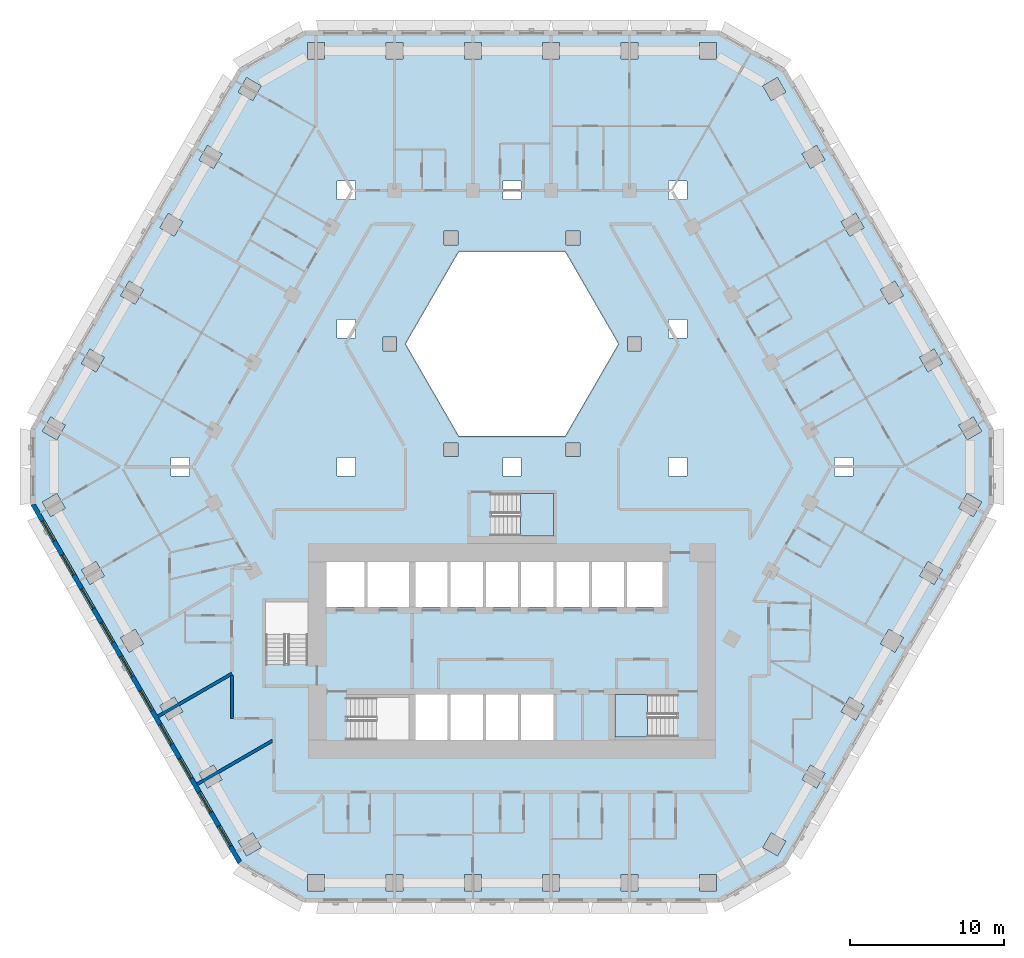
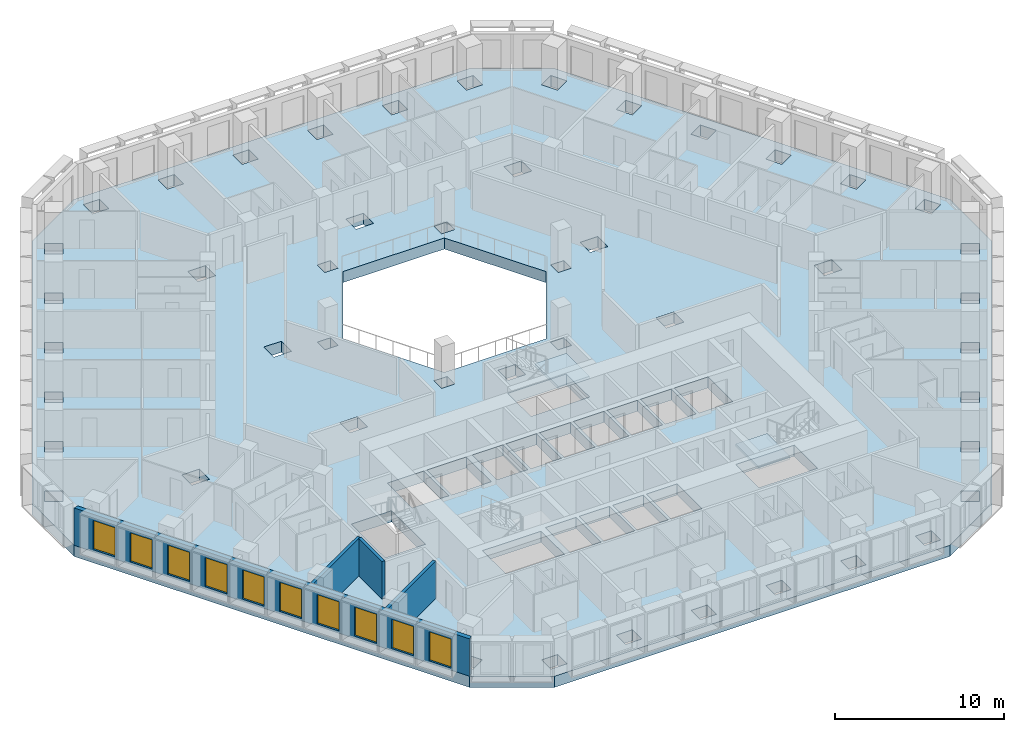
# One storey, part 2 of 21: 10 windows, 4 walls, 3 slabs, 10 openings, 2 elements without a shape of their own.
"""IFC4 building model written with IfcOpenShell, lengths in metres."""

import ifcopenshell
import ifcopenshell.guid

model = None  # the IFC model being written
_history = None  # IfcOwnerHistory: only IFC2X3 demands one
_inside = {}  # id of a spatial element -> (the spatial element, [elements in it])
_under = {}  # id of a project, library or spatial element -> (it, [spatial elements below it])
_declared = {}  # id of a project -> (the project, [libraries it declares])
_typed = {}  # id of a type object -> (the type object, [elements of that type])
_made_of = {}  # id of a material, layer set ... -> (it, [elements and type objects made of it])


def new_model(schema):
    """Start an empty IFC model of exactly this schema.

    Asked for "IFC4X3", IfcOpenShell would pick the latest addendum, in which some entities
    have other attributes; the version numbers below select the first issue.
    IFC2X3 requires an IfcOwnerHistory on every rooted entity: one is made here for all.
    """
    global model, _history
    if schema == "IFC4X3":
        model = ifcopenshell.file(schema_version=(4, 3, 0, 0))
    else:
        model = ifcopenshell.file(schema=schema)
    _inside.clear()
    _under.clear()
    _declared.clear()
    _typed.clear()
    _made_of.clear()
    _history = None
    if model.schema == "IFC2X3":
        org = make("IfcOrganization", Name="unknown")
        user = make(
            "IfcPersonAndOrganization",
            ThePerson=make("IfcPerson", FamilyName="unknown"),
            TheOrganization=org,
        )
        app = make(
            "IfcApplication",
            ApplicationDeveloper=org,
            Version="unknown",
            ApplicationFullName="unknown",
            ApplicationIdentifier="unknown",
        )
        _history = make(
            "IfcOwnerHistory",
            OwningUser=user,
            OwningApplication=app,
            ChangeAction="ADDED",
            CreationDate=0,
        )
    return model


def make(cls, **values):
    """One entity of the class cls with the attributes given. An attribute that is None is left unset."""
    return model.create_entity(
        cls, **{name: value for name, value in values.items() if value is not None}
    )


def rooted(cls, **values):
    """An entity with a GlobalId (a new one), such as an element, a storey or a relation."""
    return make(cls, GlobalId=ifcopenshell.guid.new(), OwnerHistory=_history, **values)


def si_unit(unit_type, name, prefix=None):
    """IfcSIUnit, for example si_unit("LENGTHUNIT", "METRE", prefix="MILLI")."""
    return make("IfcSIUnit", UnitType=unit_type, Prefix=prefix, Name=name)


def assignment(units):
    """IfcUnitAssignment: the units of a project."""
    return None if units is None else make("IfcUnitAssignment", Units=units)


def point(xyz):
    """IfcCartesianPoint."""
    return None if xyz is None else make("IfcCartesianPoint", Coordinates=xyz)


def direction(xyz):
    """IfcDirection."""
    return None if xyz is None else make("IfcDirection", DirectionRatios=xyz)


def frame(location, z_axis=None, x_axis=None):
    """IfcAxis2Placement3D, a coordinate frame: its origin and axes. An axis left out is left unset."""
    return make(
        "IfcAxis2Placement3D",
        Location=point(location),
        Axis=direction(z_axis),
        RefDirection=direction(x_axis),
    )


def frame_2d(location, x_axis=None):
    """IfcAxis2Placement2D, a coordinate frame in the plane: its origin and x axis."""
    return make(
        "IfcAxis2Placement2D", Location=point(location), RefDirection=direction(x_axis)
    )


def origin():
    """The frame at (0, 0, 0) with its axes left unset."""
    return frame((0.0, 0.0, 0.0))


def place(relative_to, where):
    """IfcLocalPlacement: puts the frame where relative to a parent placement (None: the world)."""
    return make(
        "IfcLocalPlacement", PlacementRelTo=relative_to, RelativePlacement=where
    )


def context(
    kind, dimensions, precision=None, world=None, true_north=None, identifier=None
):
    """IfcGeometricRepresentationContext, for example the 3D "Model" context."""
    return make(
        "IfcGeometricRepresentationContext",
        ContextIdentifier=identifier,
        ContextType=kind,
        CoordinateSpaceDimension=dimensions,
        Precision=precision,
        WorldCoordinateSystem=world,
        TrueNorth=true_north,
    )


def subcontext(parent, identifier, kind, view, scale=None):
    """IfcGeometricRepresentationSubContext, for example "Body" below "Model"."""
    return make(
        "IfcGeometricRepresentationSubContext",
        ContextIdentifier=identifier,
        ContextType=kind,
        ParentContext=parent,
        TargetScale=scale,
        TargetView=view,
    )


def project(units=None, contexts=None):
    """IfcProject with its units and contexts."""
    return rooted(
        "IfcProject",
        Name="project",
        RepresentationContexts=contexts,
        UnitsInContext=assignment(units),
    )


def spatial(cls, under=None, at=None, **own):
    """A site, building, storey or space (cls), placed at a placement, below another one or the project."""
    s = rooted(cls, ObjectPlacement=at, **own)
    if under is not None:
        _under.setdefault(under.id(), (under, []))[1].append(s)
    return s


def polyline(points):
    """IfcPolyline through the points."""
    return make("IfcPolyline", Points=[point(p) for p in points])


def profile(cls, at=None, kind="AREA", **sizes):
    """A parametric profile (cls). Its sizes go by their IFC names, for example OverallWidth=200.0."""
    return make(cls, ProfileType=kind, Position=at, **sizes)


def rectangle(**sizes):
    """IfcRectangleProfileDef."""
    return profile("IfcRectangleProfileDef", **sizes)


def outline(outer, holes=None, kind="AREA"):
    """IfcArbitraryClosedProfileDef: a profile drawn as a closed curve; with holes, ...WithVoids."""
    if holes is None:
        return make("IfcArbitraryClosedProfileDef", ProfileType=kind, OuterCurve=outer)
    return make(
        "IfcArbitraryProfileDefWithVoids",
        ProfileType=kind,
        OuterCurve=outer,
        InnerCurves=holes,
    )


def extrude(swept, where, along, depth):
    """IfcExtrudedAreaSolid: the profile swept, set in the frame where, extruded along a direction by depth."""
    return make(
        "IfcExtrudedAreaSolid",
        SweptArea=swept,
        Position=where,
        ExtrudedDirection=direction(along),
        Depth=depth,
    )


def shape(context_of_items, identifier, shape_type, items):
    """IfcShapeRepresentation: the items that make up one representation, for example the "Body"."""
    return make(
        "IfcShapeRepresentation",
        ContextOfItems=context_of_items,
        RepresentationIdentifier=identifier,
        RepresentationType=shape_type,
        Items=items,
    )


def material(Name=None, Category=None):
    """IfcMaterial."""
    return make("IfcMaterial", Name=Name, Category=Category)


def layer(
    of_material, thickness, ventilated=None, Name=None, Category=None, Priority=None
):
    """IfcMaterialLayer: one layer of a wall or slab, of a material (None: an air gap)."""
    return make(
        "IfcMaterialLayer",
        Material=of_material,
        LayerThickness=thickness,
        IsVentilated=ventilated,
        Name=Name,
        Category=Category,
        Priority=Priority,
    )


def layer_set(layers, Name=None):
    """IfcMaterialLayerSet."""
    return make("IfcMaterialLayerSet", MaterialLayers=layers, LayerSetName=Name)


def made_of(thing, what):
    """Note that an element or type object is made of a material, layer set ...; save() writes the relation."""
    if what is not None:
        _made_of.setdefault(what.id(), (what, []))[1].append(thing)
    return thing


def type_object(cls, material=None, **own):
    """A type object (cls), such as IfcWallType, which elements share."""
    return made_of(rooted(cls, **own), material)


def element(
    cls,
    number,
    at=None,
    inside=None,
    cuts=None,
    type_object=None,
    material=None,
    context=None,
    identifier="Body",
    shape_type=None,
    held_by="IfcProductDefinitionShape",
    body=None,
    shapes=None,
    **own,
):
    """One element of the class cls, such as IfcWall. Its Tag is "e" and its number.

    at: its placement. inside: the storey or other place that contains it. cuts: it is an
    opening in that element (IfcRelVoidsElement). A single representation is given by context,
    identifier, shape_type and body (its items); several are given by shapes. held_by: the class
    of the entity that holds the representations. save() writes the other relations.
    """
    e = rooted(cls, Tag="e%d" % number, ObjectPlacement=at, **own)
    if body is not None:
        shapes = [shape(context, identifier, shape_type, body)]
    if shapes is not None:
        e.Representation = make(held_by, Representations=shapes)
    if inside is not None:
        _inside.setdefault(inside.id(), (inside, []))[1].append(e)
    if cuts is not None:
        rooted(
            "IfcRelVoidsElement", RelatingBuildingElement=cuts, RelatedOpeningElement=e
        )
    if type_object is not None:
        _typed.setdefault(type_object.id(), (type_object, []))[1].append(e)
    return made_of(e, material)


def fill(opening, filler):
    """IfcRelFillsElement: the door or window that sits in an opening."""
    return rooted(
        "IfcRelFillsElement",
        RelatingOpeningElement=opening,
        RelatedBuildingElement=filler,
    )


def aggregate(whole, parts):
    """IfcRelAggregates: a whole, such as a stair, and the parts it consists of."""
    return rooted("IfcRelAggregates", RelatingObject=whole, RelatedObjects=parts)


def save(model, path):
    """Write the relations noted so far, then the file.

    IfcRelAggregates (storeys below a building ...), IfcRelContainedInSpatialStructure (elements
    in a storey), IfcRelDefinesByType, IfcRelAssociatesMaterial and IfcRelDeclares: one each for
    every whole, place, type object, material and project.
    """
    for whole, parts in _under.values():
        aggregate(whole, parts)
    for where, things in _inside.values():
        rooted(
            "IfcRelContainedInSpatialStructure",
            RelatedElements=things,
            RelatingStructure=where,
        )
    for kind, things in _typed.values():
        rooted("IfcRelDefinesByType", RelatedObjects=things, RelatingType=kind)
    for what, things in _made_of.values():
        rooted("IfcRelAssociatesMaterial", RelatedObjects=things, RelatingMaterial=what)
    for by, libraries in _declared.values():
        rooted("IfcRelDeclares", RelatingContext=by, RelatedDefinitions=libraries)
    model.write(path)


model = new_model("IFC4")

# Units and contexts
model_context = context("Model", 3, precision=1e-05, world=origin(), true_north=direction((0.0, 1.0)))
body_context = subcontext(model_context, "Body", "Model", "MODEL_VIEW")
ifc_project = project(units=[si_unit("LENGTHUNIT", "METRE"), si_unit("AREAUNIT", "SQUARE_METRE"), si_unit("VOLUMEUNIT", "CUBIC_METRE"), si_unit("PLANEANGLEUNIT", "RADIAN"), si_unit("MASSUNIT", "GRAM", prefix="KILO")], contexts=[model_context])

# Site, building, storey
site_placement = place(None, origin())
site = spatial("IfcSite", under=ifc_project, at=site_placement, CompositionType="ELEMENT")
building_placement = place(site_placement, origin())
building = spatial("IfcBuilding", under=site, at=building_placement, Name="Beryl Residences", CompositionType="ELEMENT")
storey_placement = place(building_placement, frame((0.0, 0.0, 23.39990234375)))
storey = spatial("IfcBuildingStorey", under=building, at=storey_placement, Name="L06", CompositionType="ELEMENT", Elevation=23.39990234375)

# Slab
ifc_material_1 = material(Name="Concrete C60/75", Category="concrete")
ifc_layer_1 = layer(ifc_material_1, 0.800048828125)
ifc_layer_set_1 = layer_set([ifc_layer_1], Name="SL6 transfer plate 800 mm C60/75")
slab_type_1 = type_object("IfcSlabType", Name="SL6 transfer plate 800 mm C60/75", PredefinedType="FLOOR", material=ifc_layer_set_1)
slab_1_placement = place(storey_placement, frame((0.0, 0.0, -0.7998046875)))
element("IfcSlab", 1, at=slab_1_placement, inside=storey, type_object=slab_type_1, Name="L06 slab 1", PredefinedType="FLOOR", context=body_context, shape_type="SweptSolid", body=[
    extrude(outline(polyline([(31.35009765625, -2.5), (17.840087890625, -25.89990234375), (13.510009765625, -28.39990234375), (-13.510009765625, -28.39990234375), (-17.840087890625, -25.89990234375), (-31.35009765625, -2.5), (-31.35009765625, 2.5), (-17.840087890625, 25.89990234375), (-13.510009765625, 28.39990234375), (13.510009765625, 28.39990234375), (17.840087890625, 25.89990234375), (31.35009765625, 2.5), (31.35009765625, -2.5)]), holes=[polyline([(29.64794921875, -1.748046875), (29.097900390625, -2.699951171875), (30.050048828125, -3.25), (30.60009765625, -2.298095703125), (29.64794921875, -1.748046875)]), polyline([(30.59912109375, 2.299072265625), (30.049072265625, 3.2509765625), (29.096923828125, 2.700927734375), (29.64697265625, 1.7490234375), (30.59912109375, 2.299072265625)]), polyline([(28.049072265625, -6.718017578125), (27.096923828125, -6.16796875), (26.547119140625, -7.1201171875), (27.4990234375, -7.669921875), (28.049072265625, -6.718017578125)]), polyline([(27.498046875, 7.672119140625), (26.5458984375, 7.1220703125), (27.095947265625, 6.169921875), (28.048095703125, 6.719970703125), (27.498046875, 7.672119140625)]), polyline([(25.4970703125, -11.137939453125), (24.544921875, -10.587890625), (23.9951171875, -11.5400390625), (24.947021484375, -12.090087890625), (25.4970703125, -11.137939453125)]), polyline([(24.946044921875, 12.092041015625), (23.993896484375, 11.5419921875), (24.5439453125, 10.590087890625), (25.49609375, 11.139892578125), (24.946044921875, 12.092041015625)]), polyline([(21.992919921875, -15.008056640625), (21.443115234375, -15.9599609375), (22.39501953125, -16.510009765625), (22.945068359375, -15.55810546875), (21.992919921875, -15.008056640625)]), polyline([(22.39404296875, 16.511962890625), (21.44189453125, 15.9619140625), (21.991943359375, 15.010009765625), (22.944091796875, 15.56005859375), (22.39404296875, 16.511962890625)]), polyline([(22.199951171875, -0.60009765625), (22.199951171875, 0.60009765625), (21.0, 0.60009765625), (21.0, -0.60009765625), (22.199951171875, -0.60009765625)]), polyline([(19.843017578125, -20.930908203125), (20.39306640625, -19.97900390625), (19.44091796875, -19.428955078125), (18.89111328125, -20.381103515625), (19.843017578125, -20.930908203125)]), polyline([(19.842041015625, 20.931884765625), (18.889892578125, 20.382080078125), (19.43994140625, 19.429931640625), (20.39208984375, 19.97998046875), (19.842041015625, 20.931884765625)]), polyline([(17.841064453125, -24.39892578125), (16.888916015625, -23.84912109375), (16.339111328125, -24.801025390625), (17.291015625, -25.35107421875), (17.841064453125, -24.39892578125)]), polyline([(17.2900390625, 25.35205078125), (16.337890625, 24.802001953125), (16.887939453125, 23.85009765625), (17.840087890625, 24.39990234375), (17.2900390625, 25.35205078125)]), polyline([(13.31103515625, -27.64990234375), (13.31103515625, -26.550048828125), (12.2109375, -26.550048828125), (12.2109375, -27.64990234375), (13.31103515625, -27.64990234375)]), polyline([(13.30908203125, 27.64990234375), (12.208984375, 27.64990234375), (12.208984375, 26.550048828125), (13.30908203125, 26.550048828125), (13.30908203125, 27.64990234375)]), polyline([(11.39990234375, 17.39990234375), (11.39990234375, 18.60009765625), (10.199951171875, 18.60009765625), (10.199951171875, 17.39990234375), (11.39990234375, 17.39990234375)]), polyline([(11.39990234375, -0.60009765625), (11.39990234375, 0.60009765625), (10.199951171875, 0.60009765625), (10.199951171875, -0.60009765625), (11.39990234375, -0.60009765625)]), polyline([(11.39990234375, 8.39990234375), (11.39990234375, 9.60009765625), (10.199951171875, 9.60009765625), (10.199951171875, 8.39990234375), (11.39990234375, 8.39990234375)]), polyline([(10.699951171875, -14.85009765625), (6.699951171875, -14.85009765625), (6.699951171875, -17.60009765625), (10.699951171875, -17.60009765625), (10.699951171875, -14.85009765625)]), polyline([(9.800048828125, -6.199951171875), (7.5, -6.199951171875), (7.5, -9.14990234375), (9.800048828125, -9.14990234375), (9.800048828125, -6.199951171875)]), polyline([(8.4169921875, 7.550048828125), (8.4169921875, 8.449951171875), (7.51708984375, 8.449951171875), (7.51708984375, 7.550048828125), (8.4169921875, 7.550048828125)]), polyline([(8.20703125, -27.64990234375), (8.20703125, -26.550048828125), (7.10693359375, -26.550048828125), (7.10693359375, -27.64990234375), (8.20703125, -27.64990234375)]), polyline([(8.205078125, 27.64990234375), (7.10498046875, 27.64990234375), (7.10498046875, 26.550048828125), (8.205078125, 26.550048828125), (8.205078125, 27.64990234375)]), polyline([(5.199951171875, -9.14990234375), (7.300048828125, -9.14990234375), (7.300048828125, -6.199951171875), (5.199951171875, -6.199951171875), (5.199951171875, -9.14990234375)]), polyline([(3.464111328125, 14.0), (-3.464111328125, 14.0), (-6.92822265625, 8.0), (-3.464111328125, 2.0), (3.464111328125, 2.0), (6.92822265625, 8.0), (3.464111328125, 14.0)]), polyline([(2.89990234375, -9.14990234375), (5.0, -9.14990234375), (5.0, -6.199951171875), (2.89990234375, -6.199951171875), (2.89990234375, -9.14990234375)]), polyline([(4.43408203125, 14.449951171875), (4.43408203125, 15.35009765625), (3.533935546875, 15.35009765625), (3.533935546875, 14.449951171875), (4.43408203125, 14.449951171875)]), polyline([(4.43408203125, 0.64990234375), (4.43408203125, 1.550048828125), (3.533935546875, 1.550048828125), (3.533935546875, 0.64990234375), (4.43408203125, 0.64990234375)]), polyline([(3.10302734375, -27.64990234375), (3.10302734375, -26.550048828125), (2.0029296875, -26.550048828125), (2.0029296875, -27.64990234375), (3.10302734375, -27.64990234375)]), polyline([(2.0009765625, 26.550048828125), (3.10107421875, 26.550048828125), (3.10107421875, 27.64990234375), (2.0009765625, 27.64990234375), (2.0009765625, 26.550048828125)]), polyline([(-1.300048828125, -1.75), (-1.300048828125, -4.5), (2.699951171875, -4.5), (2.699951171875, -1.75), (-1.300048828125, -1.75)]), polyline([(0.60009765625, -6.199951171875), (0.60009765625, -9.14990234375), (2.699951171875, -9.14990234375), (2.699951171875, -6.199951171875), (0.60009765625, -6.199951171875)]), polyline([(0.60009765625, -17.800048828125), (2.699951171875, -17.800048828125), (2.699951171875, -14.85009765625), (0.60009765625, -14.85009765625), (0.60009765625, -17.800048828125)]), polyline([(0.60009765625, -0.60009765625), (0.60009765625, 0.60009765625), (-0.60009765625, 0.60009765625), (-0.60009765625, -0.60009765625), (0.60009765625, -0.60009765625)]), polyline([(0.60009765625, 17.39990234375), (0.60009765625, 18.60009765625), (-0.60009765625, 18.60009765625), (-0.60009765625, 17.39990234375), (0.60009765625, 17.39990234375)]), polyline([(-1.699951171875, -6.199951171875), (-1.699951171875, -9.14990234375), (0.39990234375, -9.14990234375), (0.39990234375, -6.199951171875), (-1.699951171875, -6.199951171875)]), polyline([(-1.699951171875, -17.800048828125), (0.39990234375, -17.800048828125), (0.39990234375, -14.85009765625), (-1.699951171875, -14.85009765625), (-1.699951171875, -17.800048828125)]), polyline([(-4.0, -17.800048828125), (-1.89990234375, -17.800048828125), (-1.89990234375, -14.85009765625), (-4.0, -14.85009765625), (-4.0, -17.800048828125)]), polyline([(-4.0, -9.14990234375), (-1.89990234375, -9.14990234375), (-1.89990234375, -6.199951171875), (-4.0, -6.199951171875), (-4.0, -9.14990234375)]), polyline([(-2.0009765625, -26.550048828125), (-3.10107421875, -26.550048828125), (-3.10107421875, -27.64990234375), (-2.0009765625, -27.64990234375), (-2.0009765625, -26.550048828125)]), polyline([(-3.10302734375, 27.64990234375), (-3.10302734375, 26.550048828125), (-2.0029296875, 26.550048828125), (-2.0029296875, 27.64990234375), (-3.10302734375, 27.64990234375)]), polyline([(-3.533935546875, 15.35009765625), (-4.43408203125, 15.35009765625), (-4.43408203125, 14.449951171875), (-3.533935546875, 14.449951171875), (-3.533935546875, 15.35009765625)]), polyline([(-3.533935546875, 0.64990234375), (-3.533935546875, 1.550048828125), (-4.43408203125, 1.550048828125), (-4.43408203125, 0.64990234375), (-3.533935546875, 0.64990234375)]), polyline([(-6.300048828125, -9.14990234375), (-4.199951171875, -9.14990234375), (-4.199951171875, -6.199951171875), (-6.300048828125, -6.199951171875), (-6.300048828125, -9.14990234375)]), polyline([(-6.300048828125, -17.800048828125), (-4.199951171875, -17.800048828125), (-4.199951171875, -14.85009765625), (-6.300048828125, -14.85009765625), (-6.300048828125, -17.800048828125)]), polyline([(-6.699951171875, -17.800048828125), (-6.699951171875, -15.050048828125), (-10.699951171875, -15.050048828125), (-10.699951171875, -17.800048828125), (-6.699951171875, -17.800048828125)]), polyline([(-9.39990234375, -9.14990234375), (-6.699951171875, -9.14990234375), (-6.699951171875, -6.199951171875), (-9.39990234375, -6.199951171875), (-9.39990234375, -9.14990234375)]), polyline([(-7.10498046875, -27.64990234375), (-7.10498046875, -26.550048828125), (-8.205078125, -26.550048828125), (-8.205078125, -27.64990234375), (-7.10498046875, -27.64990234375)]), polyline([(-8.20703125, 27.64990234375), (-8.20703125, 26.550048828125), (-7.10693359375, 26.550048828125), (-7.10693359375, 27.64990234375), (-8.20703125, 27.64990234375)]), polyline([(-7.51708984375, 7.550048828125), (-7.51708984375, 8.449951171875), (-8.4169921875, 8.449951171875), (-8.4169921875, 7.550048828125), (-7.51708984375, 7.550048828125)]), polyline([(-12.10009765625, -9.14990234375), (-9.60009765625, -9.14990234375), (-9.60009765625, -6.199951171875), (-12.10009765625, -6.199951171875), (-12.10009765625, -9.14990234375)]), polyline([(-10.199951171875, 17.39990234375), (-10.199951171875, 18.60009765625), (-11.39990234375, 18.60009765625), (-11.39990234375, 17.39990234375), (-10.199951171875, 17.39990234375)]), polyline([(-11.39990234375, 8.39990234375), (-10.199951171875, 8.39990234375), (-10.199951171875, 9.60009765625), (-11.39990234375, 9.60009765625), (-11.39990234375, 8.39990234375)]), polyline([(-10.199951171875, -0.60009765625), (-10.199951171875, 0.60009765625), (-11.39990234375, 0.60009765625), (-11.39990234375, -0.60009765625), (-10.199951171875, -0.60009765625)]), polyline([(-12.208984375, -26.550048828125), (-13.30908203125, -26.550048828125), (-13.30908203125, -27.64990234375), (-12.208984375, -27.64990234375), (-12.208984375, -26.550048828125)]), polyline([(-13.31103515625, 27.64990234375), (-13.31103515625, 26.550048828125), (-12.2109375, 26.550048828125), (-12.2109375, 27.64990234375), (-13.31103515625, 27.64990234375)]), polyline([(-13.300048828125, -8.800048828125), (-16.050048828125, -8.800048828125), (-16.050048828125, -12.800048828125), (-13.300048828125, -12.800048828125), (-13.300048828125, -8.800048828125)]), polyline([(-17.2900390625, -25.35205078125), (-16.337890625, -24.802001953125), (-16.887939453125, -23.85009765625), (-17.840087890625, -24.39990234375), (-17.2900390625, -25.35205078125)]), polyline([(-16.888916015625, 23.84912109375), (-16.339111328125, 24.801025390625), (-17.291015625, 25.35107421875), (-17.841064453125, 24.39892578125), (-16.888916015625, 23.84912109375)]), polyline([(-19.842041015625, -20.931884765625), (-18.889892578125, -20.382080078125), (-19.43994140625, -19.429931640625), (-20.39208984375, -19.97998046875), (-19.842041015625, -20.931884765625)]), polyline([(-20.39306640625, 19.97900390625), (-19.44091796875, 19.428955078125), (-18.89111328125, 20.381103515625), (-19.843017578125, 20.930908203125), (-20.39306640625, 19.97900390625)]), polyline([(-21.0, -0.60009765625), (-21.0, 0.60009765625), (-22.199951171875, 0.60009765625), (-22.199951171875, -0.60009765625), (-21.0, -0.60009765625)]), polyline([(-21.44189453125, -15.9619140625), (-21.991943359375, -15.010009765625), (-22.944091796875, -15.56005859375), (-22.39404296875, -16.511962890625), (-21.44189453125, -15.9619140625)]), polyline([(-21.992919921875, 15.008056640625), (-21.443115234375, 15.9599609375), (-22.39501953125, 16.510009765625), (-22.945068359375, 15.55810546875), (-21.992919921875, 15.008056640625)]), polyline([(-24.946044921875, -12.092041015625), (-23.993896484375, -11.5419921875), (-24.5439453125, -10.590087890625), (-25.49609375, -11.139892578125), (-24.946044921875, -12.092041015625)]), polyline([(-25.4970703125, 11.137939453125), (-24.544921875, 10.587890625), (-23.9951171875, 11.5400390625), (-24.947021484375, 12.090087890625), (-25.4970703125, 11.137939453125)]), polyline([(-27.498046875, -7.672119140625), (-26.5458984375, -7.1220703125), (-27.095947265625, -6.169921875), (-28.048095703125, -6.719970703125), (-27.498046875, -7.672119140625)]), polyline([(-28.049072265625, 6.718017578125), (-27.096923828125, 6.16796875), (-26.547119140625, 7.1201171875), (-27.4990234375, 7.669921875), (-28.049072265625, 6.718017578125)]), polyline([(-29.096923828125, -2.700927734375), (-29.64697265625, -1.7490234375), (-30.59912109375, -2.299072265625), (-30.049072265625, -3.2509765625), (-29.096923828125, -2.700927734375)]), polyline([(-30.60009765625, 2.298095703125), (-29.64794921875, 1.748046875), (-29.097900390625, 2.699951171875), (-30.050048828125, 3.25), (-30.60009765625, 2.298095703125)])]), origin(), (0.0, 0.0, 1.0), 0.7998046875),
])

# Stair, slab
ifc_material_2 = material(Name="Concrete C40/50", Category="concrete")
stair_type = type_object("IfcStairType", Name="ST1 protected exit stair, half-turn, 1300 mm flights", PredefinedType="HALF_TURN_STAIR", material=ifc_material_2)
stair_1_placement = place(storey_placement, origin())
stair_1 = element("IfcStair", 2, at=stair_1_placement, inside=storey, type_object=stair_type, Name="L06 PROTECTED EXIT STAIR ST-3", PredefinedType="HALF_TURN_STAIR")
ifc_material_3 = material(Name="Concrete C40/50", Category="concrete")
ifc_layer_2 = layer(ifc_material_3, 0.199951171875)
ifc_layer_set_2 = layer_set([ifc_layer_2], Name="SLD1 stair landing 200 mm")
slab_type_2 = type_object("IfcSlabType", Name="SLD1 stair landing 200 mm", PredefinedType="LANDING", material=ifc_layer_set_2)
slab_2_placement = place(storey_placement, frame((0.0, 0.0, 1.300048828125)))
slab_2 = element("IfcSlab", 3, at=slab_2_placement, type_object=slab_type_2, Name="ST-3 landing 1", PredefinedType="LANDING", context=body_context, shape_type="SweptSolid", body=[
    extrude(outline(polyline([(8.840087890625, -14.85009765625), (6.699951171875, -14.85009765625), (6.699951171875, -17.60009765625), (8.840087890625, -17.60009765625), (8.840087890625, -14.85009765625)])), origin(), (0.0, 0.0, 1.0), 0.199951171875),
])
aggregate(stair_1, [slab_2])

stair_2_placement = place(storey_placement, origin())
stair_2 = element("IfcStair", 4, at=stair_2_placement, inside=storey, type_object=stair_type, Name="L06 PROTECTED EXIT STAIR ST-4", PredefinedType="HALF_TURN_STAIR")
slab_3_placement = place(storey_placement, frame((0.0, 0.0, 1.300048828125)))
slab_3 = element("IfcSlab", 5, at=slab_3_placement, type_object=slab_type_2, Name="ST-4 landing 1", PredefinedType="LANDING", context=body_context, shape_type="SweptSolid", body=[
    extrude(outline(polyline([(0.56005859375, -4.5), (2.699951171875, -4.5), (2.699951171875, -1.75), (0.56005859375, -1.75), (0.56005859375, -4.5)])), origin(), (0.0, 0.0, 1.0), 0.199951171875),
])
aggregate(stair_2, [slab_3])

# Wall, openings, windows
ifc_material_4 = material(Name="Composite metal panel with mineral wool insulation")
ifc_layer_3 = layer(ifc_material_4, 0.300048828125)
ifc_layer_set_3 = layer_set([ifc_layer_3], Name="ES1 pale metal composite panel wall 300 mm")
wall_type_1 = type_object("IfcWallType", Name="ES1 pale metal composite panel wall 300 mm", PredefinedType="SOLIDWALL", material=ifc_layer_set_3)
wall_1_placement = place(storey_placement, frame((-31.219970703125, -2.425048828125, 0.0), z_axis=(0.0, 0.0, 1.0), x_axis=(0.500001938803, -0.866024284413, 0.0)))
wall_1 = element("IfcWall", 6, at=wall_1_placement, inside=storey, type_object=wall_type_1, Name="ES1 external wall L06 SW", PredefinedType="SOLIDWALL", context=body_context, shape_type="SweptSolid", body=[
    extrude(outline(polyline([(0.0, -0.14990234375), (27.02001953125, -0.14990234375), (26.939697265625, 0.14990234375), (0.080322265625, 0.14990234375), (0.0, -0.14990234375)])), origin(), (0.0, 0.0, 1.0), 2.7001953125),
])
opening_1_placement = place(wall_1_placement, frame((1.277099609375, 0.0, 0.14990234375)))
opening_1 = element("IfcOpeningElement", 7, at=opening_1_placement, cuts=wall_1, Name="Opening W1", PredefinedType="OPENING", context=body_context, shape_type="SweptSolid", body=[
    extrude(rectangle(XDim=1.5, YDim=2.10009765625, at=frame_2d((0.75, 1.050048828125))), frame((0.0, 0.159912109375, 0.0), z_axis=(0.0, -1.0, 0.0), x_axis=(1.0, 0.0, 0.0)), (0.0, 0.0, 1.0), 0.320068359375),
])
opening_2_placement = place(wall_1_placement, frame((3.8291015625, 0.0, 0.14990234375)))
opening_2 = element("IfcOpeningElement", 8, at=opening_2_placement, cuts=wall_1, Name="Opening W1", PredefinedType="OPENING", context=body_context, shape_type="SweptSolid", body=[
    extrude(rectangle(XDim=1.5, YDim=2.10009765625, at=frame_2d((0.75, 1.050048828125))), frame((0.0, 0.159912109375, 0.0), z_axis=(0.0, -1.0, 0.0), x_axis=(1.0, 0.0, 0.0)), (0.0, 0.0, 1.0), 0.320068359375),
])
opening_3_placement = place(wall_1_placement, frame((6.382080078125, 0.0, 0.14990234375)))
opening_3 = element("IfcOpeningElement", 9, at=opening_3_placement, cuts=wall_1, Name="Opening W1", PredefinedType="OPENING", context=body_context, shape_type="SweptSolid", body=[
    extrude(rectangle(XDim=1.5, YDim=2.10009765625, at=frame_2d((0.75, 1.050048828125))), frame((0.0, 0.159912109375, 0.0), z_axis=(0.0, -1.0, 0.0), x_axis=(1.0, 0.0, 0.0)), (0.0, 0.0, 1.0), 0.320068359375),
])
opening_4_placement = place(wall_1_placement, frame((8.93310546875, 0.0, 0.14990234375)))
opening_4 = element("IfcOpeningElement", 10, at=opening_4_placement, cuts=wall_1, Name="Opening W1", PredefinedType="OPENING", context=body_context, shape_type="SweptSolid", body=[
    extrude(rectangle(XDim=1.5, YDim=2.10009765625, at=frame_2d((0.75, 1.050048828125))), frame((0.0, 0.159912109375, 0.0), z_axis=(0.0, -1.0, 0.0), x_axis=(1.0, 0.0, 0.0)), (0.0, 0.0, 1.0), 0.320068359375),
])
opening_5_placement = place(wall_1_placement, frame((11.485107421875, 0.0, 0.14990234375)))
opening_5 = element("IfcOpeningElement", 11, at=opening_5_placement, cuts=wall_1, Name="Opening W1", PredefinedType="OPENING", context=body_context, shape_type="SweptSolid", body=[
    extrude(rectangle(XDim=1.5, YDim=2.10009765625, at=frame_2d((0.75, 1.050048828125))), frame((0.0, 0.159912109375, 0.0), z_axis=(0.0, -1.0, 0.0), x_axis=(1.0, 0.0, 0.0)), (0.0, 0.0, 1.0), 0.320068359375),
])
opening_6_placement = place(wall_1_placement, frame((14.037109375, 0.0, 0.14990234375)))
opening_6 = element("IfcOpeningElement", 12, at=opening_6_placement, cuts=wall_1, Name="Opening W1", PredefinedType="OPENING", context=body_context, shape_type="SweptSolid", body=[
    extrude(rectangle(XDim=1.5, YDim=2.10009765625, at=frame_2d((0.75, 1.050048828125))), frame((0.0, 0.159912109375, 0.0), z_axis=(0.0, -1.0, 0.0), x_axis=(1.0, 0.0, 0.0)), (0.0, 0.0, 1.0), 0.320068359375),
])
opening_7_placement = place(wall_1_placement, frame((16.589111328125, 0.0, 0.14990234375)))
opening_7 = element("IfcOpeningElement", 13, at=opening_7_placement, cuts=wall_1, Name="Opening W1", PredefinedType="OPENING", context=body_context, shape_type="SweptSolid", body=[
    extrude(rectangle(XDim=1.5, YDim=2.10009765625, at=frame_2d((0.75, 1.050048828125))), frame((0.0, 0.159912109375, 0.0), z_axis=(0.0, -1.0, 0.0), x_axis=(1.0, 0.0, 0.0)), (0.0, 0.0, 1.0), 0.320068359375),
])
opening_8_placement = place(wall_1_placement, frame((19.14111328125, 0.0, 0.14990234375)))
opening_8 = element("IfcOpeningElement", 14, at=opening_8_placement, cuts=wall_1, Name="Opening W1", PredefinedType="OPENING", context=body_context, shape_type="SweptSolid", body=[
    extrude(rectangle(XDim=1.5, YDim=2.10009765625, at=frame_2d((0.75, 1.050048828125))), frame((0.0, 0.159912109375, 0.0), z_axis=(0.0, -1.0, 0.0), x_axis=(1.0, 0.0, 0.0)), (0.0, 0.0, 1.0), 0.320068359375),
])
opening_9_placement = place(wall_1_placement, frame((21.693115234375, 0.0, 0.14990234375)))
opening_9 = element("IfcOpeningElement", 15, at=opening_9_placement, cuts=wall_1, Name="Opening W1", PredefinedType="OPENING", context=body_context, shape_type="SweptSolid", body=[
    extrude(rectangle(XDim=1.5, YDim=2.10009765625, at=frame_2d((0.75, 1.050048828125))), frame((0.0, 0.159912109375, 0.0), z_axis=(0.0, -1.0, 0.0), x_axis=(1.0, 0.0, 0.0)), (0.0, 0.0, 1.0), 0.320068359375),
])
opening_10_placement = place(wall_1_placement, frame((24.243896484375, 0.0, 0.14990234375)))
opening_10 = element("IfcOpeningElement", 16, at=opening_10_placement, cuts=wall_1, Name="Opening W1", PredefinedType="OPENING", context=body_context, shape_type="SweptSolid", body=[
    extrude(rectangle(XDim=1.5, YDim=2.10009765625, at=frame_2d((0.75, 1.050048828125))), frame((0.0, 0.159912109375, 0.0), z_axis=(0.0, -1.0, 0.0), x_axis=(1.0, 0.0, 0.0)), (0.0, 0.0, 1.0), 0.320068359375),
])
ifc_material_5 = material(Name="Aluminium and clear glass", Category="aluminium")
window_type = type_object("IfcWindowType", Name="W1 cell window 1500 x 2100 mm", PartitioningType="SINGLE_PANEL", PredefinedType="WINDOW", material=ifc_material_5)
window_1_placement = place(opening_1_placement, origin())
window_1 = element("IfcWindow", 17, at=window_1_placement, inside=storey, type_object=window_type, Name="W1 window L06 SW 1", OverallHeight=2.10009765625, OverallWidth=1.5, PartitioningType="SINGLE_PANEL", PredefinedType="WINDOW", context=body_context, shape_type="SweptSolid", body=[
    extrude(rectangle(XDim=1.5, YDim=2.10009765625, at=frame_2d((0.75, 1.050048828125))), frame((0.0, 0.030029296875, 0.0), z_axis=(0.0, -1.0, 0.0), x_axis=(1.0, 0.0, 0.0)), (0.0, 0.0, 1.0), 0.06005859375),
])
fill(opening_1, window_1)
window_2_placement = place(opening_2_placement, origin())
window_2 = element("IfcWindow", 18, at=window_2_placement, inside=storey, type_object=window_type, Name="W1 window L06 SW 2", OverallHeight=2.10009765625, OverallWidth=1.5, PartitioningType="SINGLE_PANEL", PredefinedType="WINDOW", context=body_context, shape_type="SweptSolid", body=[
    extrude(rectangle(XDim=1.5, YDim=2.10009765625, at=frame_2d((0.75, 1.050048828125))), frame((0.0, 0.030029296875, 0.0), z_axis=(0.0, -1.0, 0.0), x_axis=(1.0, 0.0, 0.0)), (0.0, 0.0, 1.0), 0.06005859375),
])
fill(opening_2, window_2)
window_3_placement = place(opening_3_placement, origin())
window_3 = element("IfcWindow", 19, at=window_3_placement, inside=storey, type_object=window_type, Name="W1 window L06 SW 3", OverallHeight=2.10009765625, OverallWidth=1.5, PartitioningType="SINGLE_PANEL", PredefinedType="WINDOW", context=body_context, shape_type="SweptSolid", body=[
    extrude(rectangle(XDim=1.5, YDim=2.10009765625, at=frame_2d((0.75, 1.050048828125))), frame((0.0, 0.030029296875, 0.0), z_axis=(0.0, -1.0, 0.0), x_axis=(1.0, 0.0, 0.0)), (0.0, 0.0, 1.0), 0.06005859375),
])
fill(opening_3, window_3)
window_4_placement = place(opening_4_placement, origin())
window_4 = element("IfcWindow", 20, at=window_4_placement, inside=storey, type_object=window_type, Name="W1 window L06 SW 4", OverallHeight=2.10009765625, OverallWidth=1.5, PartitioningType="SINGLE_PANEL", PredefinedType="WINDOW", context=body_context, shape_type="SweptSolid", body=[
    extrude(rectangle(XDim=1.5, YDim=2.10009765625, at=frame_2d((0.75, 1.050048828125))), frame((0.0, 0.030029296875, 0.0), z_axis=(0.0, -1.0, 0.0), x_axis=(1.0, 0.0, 0.0)), (0.0, 0.0, 1.0), 0.06005859375),
])
fill(opening_4, window_4)
window_5_placement = place(opening_5_placement, origin())
window_5 = element("IfcWindow", 21, at=window_5_placement, inside=storey, type_object=window_type, Name="W1 window L06 SW 5", OverallHeight=2.10009765625, OverallWidth=1.5, PartitioningType="SINGLE_PANEL", PredefinedType="WINDOW", context=body_context, shape_type="SweptSolid", body=[
    extrude(rectangle(XDim=1.5, YDim=2.10009765625, at=frame_2d((0.75, 1.050048828125))), frame((0.0, 0.030029296875, 0.0), z_axis=(0.0, -1.0, 0.0), x_axis=(1.0, 0.0, 0.0)), (0.0, 0.0, 1.0), 0.06005859375),
])
fill(opening_5, window_5)
window_6_placement = place(opening_6_placement, origin())
window_6 = element("IfcWindow", 22, at=window_6_placement, inside=storey, type_object=window_type, Name="W1 window L06 SW 6", OverallHeight=2.10009765625, OverallWidth=1.5, PartitioningType="SINGLE_PANEL", PredefinedType="WINDOW", context=body_context, shape_type="SweptSolid", body=[
    extrude(rectangle(XDim=1.5, YDim=2.10009765625, at=frame_2d((0.75, 1.050048828125))), frame((0.0, 0.030029296875, 0.0), z_axis=(0.0, -1.0, 0.0), x_axis=(1.0, 0.0, 0.0)), (0.0, 0.0, 1.0), 0.06005859375),
])
fill(opening_6, window_6)
window_7_placement = place(opening_7_placement, origin())
window_7 = element("IfcWindow", 23, at=window_7_placement, inside=storey, type_object=window_type, Name="W1 window L06 SW 7", OverallHeight=2.10009765625, OverallWidth=1.5, PartitioningType="SINGLE_PANEL", PredefinedType="WINDOW", context=body_context, shape_type="SweptSolid", body=[
    extrude(rectangle(XDim=1.5, YDim=2.10009765625, at=frame_2d((0.75, 1.050048828125))), frame((0.0, 0.030029296875, 0.0), z_axis=(0.0, -1.0, 0.0), x_axis=(1.0, 0.0, 0.0)), (0.0, 0.0, 1.0), 0.06005859375),
])
fill(opening_7, window_7)
window_8_placement = place(opening_8_placement, origin())
window_8 = element("IfcWindow", 24, at=window_8_placement, inside=storey, type_object=window_type, Name="W1 window L06 SW 8", OverallHeight=2.10009765625, OverallWidth=1.5, PartitioningType="SINGLE_PANEL", PredefinedType="WINDOW", context=body_context, shape_type="SweptSolid", body=[
    extrude(rectangle(XDim=1.5, YDim=2.10009765625, at=frame_2d((0.75, 1.050048828125))), frame((0.0, 0.030029296875, 0.0), z_axis=(0.0, -1.0, 0.0), x_axis=(1.0, 0.0, 0.0)), (0.0, 0.0, 1.0), 0.06005859375),
])
fill(opening_8, window_8)
window_9_placement = place(opening_9_placement, origin())
window_9 = element("IfcWindow", 25, at=window_9_placement, inside=storey, type_object=window_type, Name="W1 window L06 SW 9", OverallHeight=2.10009765625, OverallWidth=1.5, PartitioningType="SINGLE_PANEL", PredefinedType="WINDOW", context=body_context, shape_type="SweptSolid", body=[
    extrude(rectangle(XDim=1.5, YDim=2.10009765625, at=frame_2d((0.75, 1.050048828125))), frame((0.0, 0.030029296875, 0.0), z_axis=(0.0, -1.0, 0.0), x_axis=(1.0, 0.0, 0.0)), (0.0, 0.0, 1.0), 0.06005859375),
])
fill(opening_9, window_9)
window_10_placement = place(opening_10_placement, origin())
window_10 = element("IfcWindow", 26, at=window_10_placement, inside=storey, type_object=window_type, Name="W1 window L06 SW 10", OverallHeight=2.10009765625, OverallWidth=1.5, PartitioningType="SINGLE_PANEL", PredefinedType="WINDOW", context=body_context, shape_type="SweptSolid", body=[
    extrude(rectangle(XDim=1.5, YDim=2.10009765625, at=frame_2d((0.75, 1.050048828125))), frame((0.0, 0.030029296875, 0.0), z_axis=(0.0, -1.0, 0.0), x_axis=(1.0, 0.0, 0.0)), (0.0, 0.0, 1.0), 0.06005859375),
])
fill(opening_10, window_10)

# Walls
ifc_material_6 = material(Name="Acoustic double stud gypsum board wall")
ifc_layer_4 = layer(ifc_material_6, 0.199951171875)
ifc_layer_set_4 = layer_set([ifc_layer_4], Name="PT3 party wall 200 mm acoustic double stud")
wall_type_2 = type_object("IfcWallType", Name="PT3 party wall 200 mm acoustic double stud", PredefinedType="PARTITIONING", material=ifc_layer_set_4)
wall_2_placement = place(storey_placement, frame((-20.507080078125, -20.680908203125, 0.0), z_axis=(0.0, 0.0, 1.0), x_axis=(0.866028446103, 0.499994730513, 0.0)))
element("IfcWall", 27, at=wall_2_placement, inside=storey, type_object=wall_type_2, Name="Wall PT3 L06 022", PredefinedType="PARTITIONING", context=body_context, shape_type="SweptSolid", body=[
    extrude(rectangle(XDim=5.666015625, YDim=0.199951171875, at=frame_2d((2.8330078125, 0.0))), origin(), (0.0, 0.0, 1.0), 2.7001953125),
])
wall_3_placement = place(storey_placement, frame((-23.05908203125, -16.260986328125, 0.0), z_axis=(0.0, 0.0, 1.0), x_axis=(0.866075767886, 0.499912756669, 0.0)))
element("IfcWall", 28, at=wall_3_placement, inside=storey, type_object=wall_type_2, Name="Wall PT3 L06 024", PredefinedType="PARTITIONING", context=body_context, shape_type="SweptSolid", body=[
    extrude(rectangle(XDim=5.552734375, YDim=0.199951171875, at=frame_2d((2.7763671875, 0.0))), origin(), (0.0, 0.0, 1.0), 2.7001953125),
])
ifc_material_7 = material(Name="Double stud gypsum board wall")
ifc_layer_5 = layer(ifc_material_7, 0.199951171875)
ifc_layer_set_5 = layer_set([ifc_layer_5], Name="PT4 corridor wall 200 mm double stud")
wall_type_3 = type_object("IfcWallType", Name="PT4 corridor wall 200 mm double stud", PredefinedType="PARTITIONING", material=ifc_layer_set_5)
wall_4_placement = place(storey_placement, frame((-18.25, -16.39990234375, 0.0), z_axis=(0.0, 0.0, 1.0), x_axis=(0.0, 1.0, 0.0)))
element("IfcWall", 29, at=wall_4_placement, inside=storey, type_object=wall_type_3, Name="Wall PT4 L06 032", PredefinedType="PARTITIONING", context=body_context, shape_type="SweptSolid", body=[
    extrude(rectangle(XDim=2.7998046875, YDim=0.199951171875, at=frame_2d((1.39990234375, 0.0))), origin(), (0.0, 0.0, 1.0), 2.7001953125),
])

save(model, "model.ifc")
